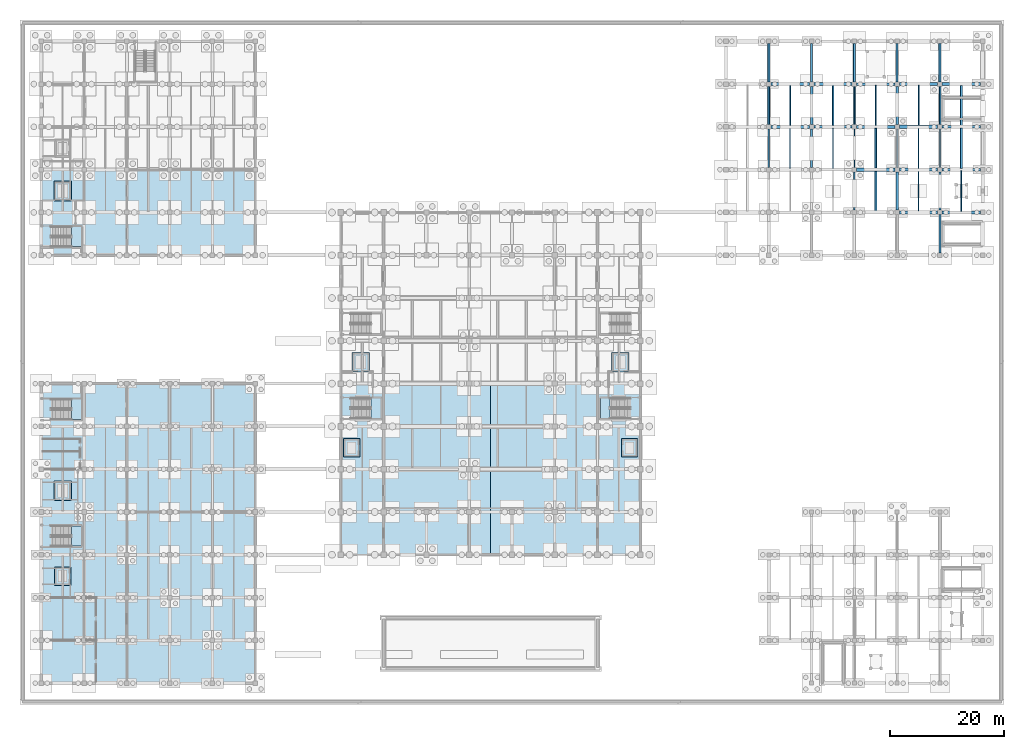
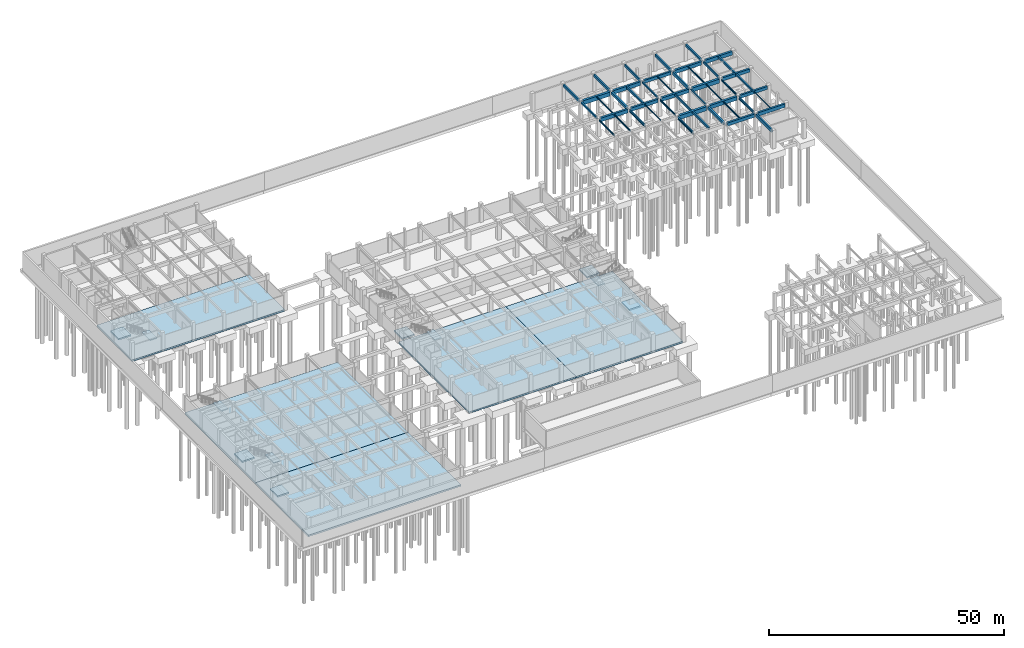
# One storey, part 19 of 38: 47 beams, 17 slabs, 5 elements without a shape of their own.
"""IFC4 building model written with IfcOpenShell, lengths in metres."""

from ifc_helpers import new_model, si_unit, direction, frame, origin, origin_2d, place, context, subcontext, project, spatial, polyline, rectangle, i_section, outline, extrude, material, layer, layer_set, material_profile, profile_set, type_object, element, aggregate, save


model = new_model("IFC4")

# Units and contexts
model_context = context("Model", 3, precision=1e-05, world=origin(), true_north=direction((0.0, 1.0)))
body_context = subcontext(model_context, "Body", "Model", "MODEL_VIEW")
ifc_project = project(units=[si_unit("LENGTHUNIT", "METRE"), si_unit("AREAUNIT", "SQUARE_METRE"), si_unit("VOLUMEUNIT", "CUBIC_METRE"), si_unit("PLANEANGLEUNIT", "RADIAN"), si_unit("MASSUNIT", "GRAM", prefix="KILO")], contexts=[model_context])

# Site, building, storey
site_placement = place(None, origin())
site = spatial("IfcSite", under=ifc_project, at=site_placement, CompositionType="ELEMENT")
building_placement = place(site_placement, origin())
building = spatial("IfcBuilding", under=site, at=building_placement, Name="Qasida Concert Hall", CompositionType="ELEMENT")
storey_placement = place(building_placement, frame((0.0, 0.0, -4.800048828125)))
storey = spatial("IfcBuildingStorey", under=building, at=storey_placement, Name="B1", CompositionType="ELEMENT", Elevation=-4.800048828125)

# Beams
ifc_material_1 = material(Name="Concrete C40/50", Category="concrete")
ifc_material_profile_1 = material_profile(ifc_material_1, rectangle(XDim=0.39990234375, YDim=0.64990234375, at=origin_2d()), Name="RC 400x650")
ifc_profile_set_1 = profile_set([ifc_material_profile_1], Name="Concrete C40/50")
beam_type_1 = type_object("IfcBeamType", Name="BM-B1", PredefinedType="BEAM", material=ifc_profile_set_1)
beam_1_placement = place(storey_placement, frame((150.0, 82.89990234375, 4.175048828125), z_axis=(0.0, 1.0, 0.0), x_axis=(-1.0, 0.0, 0.0)))
element("IfcBeam", 1, at=beam_1_placement, inside=storey, type_object=beam_type_1, Name="B1 girder 0269", PredefinedType="BEAM", context=body_context, shape_type="SweptSolid", body=[
    extrude(rectangle(XDim=0.39990234375, YDim=0.64990234375, at=origin_2d()), origin(), (0.0, 0.0, 1.0), 6.7001953125),
])
ifc_material_profile_2 = material_profile(ifc_material_1, rectangle(XDim=0.3798828125, YDim=0.6201171875, at=origin_2d()), Name="RC 380x620")
ifc_profile_set_2 = profile_set([ifc_material_profile_2], Name="Concrete C40/50")
beam_type_2 = type_object("IfcBeamType", Name="BM-B10", PredefinedType="BEAM", material=ifc_profile_set_2)
for number, where, z_axis, x_axis, name in (
    (2, (135.0, 105.39990234375, 4.18994140625), (0.0, 1.0, 0.0), (-1.0, 0.0, 0.0), "B1 girder 0262"),
    (3, (150.0, 105.39990234375, 4.18994140625), (0.0, 1.0, 0.0), (-1.0, 0.0, 0.0), "B1 girder 0272"),
):
    element("IfcBeam", number, at=place(storey_placement, frame(where, z_axis=z_axis, x_axis=x_axis)), inside=storey, type_object=beam_type_2, Name=name, PredefinedType="BEAM", context=body_context, shape_type="SweptSolid", body=[
        extrude(rectangle(XDim=0.3798828125, YDim=0.6201171875, at=origin_2d()), origin(), (0.0, 0.0, 1.0), 6.7001953125),
    ])
ifc_material_profile_3 = material_profile(ifc_material_1, rectangle(XDim=0.419921875, YDim=0.699951171875, at=origin_2d()), Name="RC 420x700")
ifc_profile_set_3 = profile_set([ifc_material_profile_3], Name="Concrete C40/50")
beam_type_3 = type_object("IfcBeamType", Name="BM-B11", PredefinedType="BEAM", material=ifc_profile_set_3)
for number, where, z_axis, x_axis, name in (
    (4, (135.0, 97.89990234375, 4.150146484375), (0.0, 1.0, 0.0), (-1.0, 0.0, 0.0), "B1 girder 0261"),
    (5, (150.0, 97.89990234375, 4.150146484375), (0.0, 1.0, 0.0), (-1.0, 0.0, 0.0), "B1 girder 0271"),
    (6, (157.5, 75.39990234375, 4.150146484375), (0.0, 1.0, 0.0), (-1.0, 0.0, 0.0), "B1 girder 0273"),
):
    element("IfcBeam", number, at=place(storey_placement, frame(where, z_axis=z_axis, x_axis=x_axis)), inside=storey, type_object=beam_type_3, Name=name, PredefinedType="BEAM", context=body_context, shape_type="SweptSolid", body=[
        extrude(rectangle(XDim=0.419921875, YDim=0.699951171875, at=origin_2d()), origin(), (0.0, 0.0, 1.0), 6.7001953125),
    ])
ifc_material_2 = material(Name="Steel S355J2", Category="steel")
ifc_material_profile_4 = material_profile(ifc_material_2, i_section(OverallWidth=0.300048828125, OverallDepth=0.64990234375, WebThickness=0.01611328125, FlangeThickness=0.031005859375, FilletRadius=0.027099609375, at=origin_2d()), Name="HEB 650")
ifc_profile_set_4 = profile_set([ifc_material_profile_4], Name="Steel S355J2")
beam_type_4 = type_object("IfcBeamType", Name="BM-B13", PredefinedType="BEAM", material=ifc_profile_set_4)
for number, where, z_axis, x_axis, name in (
    (7, (135.0, 90.39990234375, 4.175048828125), (0.0, 1.0, 0.0), (-1.0, 0.0, 0.0), "B1 girder 0260"),
    (8, (150.0, 90.39990234375, 4.175048828125), (0.0, 1.0, 0.0), (-1.0, 0.0, 0.0), "B1 girder 0270"),
):
    element("IfcBeam", number, at=place(storey_placement, frame(where, z_axis=z_axis, x_axis=x_axis)), inside=storey, type_object=beam_type_4, Name=name, PredefinedType="BEAM", context=body_context, shape_type="SweptSolid", body=[
        extrude(i_section(OverallWidth=0.300048828125, OverallDepth=0.64990234375, WebThickness=0.01611328125, FlangeThickness=0.031005859375, FilletRadius=0.027099609375, at=origin_2d()), origin(), (0.0, 0.0, 1.0), 6.7001953125),
    ])
ifc_material_profile_5 = material_profile(ifc_material_1, rectangle(XDim=0.35009765625, YDim=0.60009765625, at=origin_2d()), Name="RC 350x600")
ifc_profile_set_5 = profile_set([ifc_material_profile_5], Name="Concrete C40/50")
beam_type_5 = type_object("IfcBeamType", Name="BM-B2", PredefinedType="BEAM", material=ifc_profile_set_5)
for number, where, z_axis, x_axis, name in (
    (9, (127.5, 105.39990234375, 4.199951171875), (0.0, 1.0, 0.0), (-1.0, 0.0, 0.0), "B1 girder 0257"),
    (10, (142.5, 105.39990234375, 4.199951171875), (0.0, 1.0, 0.0), (-1.0, 0.0, 0.0), "B1 girder 0267"),
    (11, (157.5, 105.39990234375, 4.199951171875), (0.0, 1.0, 0.0), (-1.0, 0.0, 0.0), "B1 girder 0277"),
):
    element("IfcBeam", number, at=place(storey_placement, frame(where, z_axis=z_axis, x_axis=x_axis)), inside=storey, type_object=beam_type_5, Name=name, PredefinedType="BEAM", context=body_context, shape_type="SweptSolid", body=[
        extrude(rectangle(XDim=0.35009765625, YDim=0.60009765625, at=origin_2d()), origin(), (0.0, 0.0, 1.0), 6.7001953125),
    ])
ifc_material_profile_6 = material_profile(ifc_material_1, rectangle(XDim=0.300048828125, YDim=0.449951171875, at=origin_2d()), Name="RC 300x450")
ifc_profile_set_6 = profile_set([ifc_material_profile_6], Name="Concrete C40/50")
beam_type_6 = type_object("IfcBeamType", Name="BM-B3", PredefinedType="BEAM", material=ifc_profile_set_6)
for number, where, z_axis, x_axis, name in (
    (12, (127.5, 97.89990234375, 4.275146484375), (0.0, 1.0, 0.0), (-1.0, 0.0, 0.0), "B1 girder 0256"),
    (13, (142.5, 97.89990234375, 4.275146484375), (0.0, 1.0, 0.0), (-1.0, 0.0, 0.0), "B1 girder 0266"),
    (14, (157.5, 97.89990234375, 4.275146484375), (0.0, 1.0, 0.0), (-1.0, 0.0, 0.0), "B1 girder 0276"),
):
    element("IfcBeam", number, at=place(storey_placement, frame(where, z_axis=z_axis, x_axis=x_axis)), inside=storey, type_object=beam_type_6, Name=name, PredefinedType="BEAM", context=body_context, shape_type="SweptSolid", body=[
        extrude(rectangle(XDim=0.300048828125, YDim=0.449951171875, at=origin_2d()), origin(), (0.0, 0.0, 1.0), 6.7001953125),
    ])
ifc_material_profile_7 = material_profile(ifc_material_2, i_section(OverallWidth=0.18994140625, OverallDepth=0.449951171875, WebThickness=0.009521484375, FlangeThickness=0.0146484375, FilletRadius=0.02099609375, at=origin_2d()), Name="IPE 450")
ifc_profile_set_7 = profile_set([ifc_material_profile_7], Name="Steel S355J2")
beam_type_7 = type_object("IfcBeamType", Name="BM-B5", PredefinedType="BEAM", material=ifc_profile_set_7)
for number, where, z_axis, x_axis, name in (
    (15, (127.5, 90.39990234375, 4.275146484375), (0.0, 1.0, 0.0), (-1.0, 0.0, 0.0), "B1 girder 0255"),
    (16, (142.5, 90.39990234375, 4.275146484375), (0.0, 1.0, 0.0), (-1.0, 0.0, 0.0), "B1 girder 0265"),
    (17, (157.5, 90.39990234375, 4.275146484375), (0.0, 1.0, 0.0), (-1.0, 0.0, 0.0), "B1 girder 0275"),
):
    element("IfcBeam", number, at=place(storey_placement, frame(where, z_axis=z_axis, x_axis=x_axis)), inside=storey, type_object=beam_type_7, Name=name, PredefinedType="BEAM", context=body_context, shape_type="SweptSolid", body=[
        extrude(i_section(OverallWidth=0.18994140625, OverallDepth=0.449951171875, WebThickness=0.009521484375, FlangeThickness=0.0146484375, FilletRadius=0.02099609375, at=origin_2d()), origin(), (0.0, 0.0, 1.0), 6.7001953125),
    ])
ifc_material_profile_8 = material_profile(ifc_material_2, i_section(OverallWidth=0.300048828125, OverallDepth=0.60009765625, WebThickness=0.015380859375, FlangeThickness=0.030029296875, FilletRadius=0.027099609375, at=origin_2d()), Name="HEB 600")
ifc_profile_set_8 = profile_set([ifc_material_profile_8], Name="Steel S355J2")
beam_type_8 = type_object("IfcBeamType", Name="BM-B6", PredefinedType="BEAM", material=ifc_profile_set_8)
for number, where, z_axis, x_axis, name in (
    (18, (142.5, 82.89990234375, 4.199951171875), (0.0, 1.0, 0.0), (-1.0, 0.0, 0.0), "B1 girder 0264"),
    (19, (157.5, 82.89990234375, 4.199951171875), (0.0, 1.0, 0.0), (-1.0, 0.0, 0.0), "B1 girder 0274"),
):
    element("IfcBeam", number, at=place(storey_placement, frame(where, z_axis=z_axis, x_axis=x_axis)), inside=storey, type_object=beam_type_8, Name=name, PredefinedType="BEAM", context=body_context, shape_type="SweptSolid", body=[
        extrude(i_section(OverallWidth=0.300048828125, OverallDepth=0.60009765625, WebThickness=0.015380859375, FlangeThickness=0.030029296875, FilletRadius=0.027099609375, at=origin_2d()), origin(), (0.0, 0.0, 1.0), 6.7001953125),
    ])
ifc_material_profile_9 = material_profile(ifc_material_1, rectangle(XDim=0.5, YDim=0.89990234375, at=origin_2d()), Name="RC 500x900")
ifc_profile_set_9 = profile_set([ifc_material_profile_9], Name="Concrete C40/50")
beam_type_9 = type_object("IfcBeamType", Name="BM-G1", PredefinedType="USERDEFINED", material=ifc_profile_set_9)
for number, where, z_axis, x_axis, name in (
    (20, (157.89990234375, 82.5, 4.050048828125), (1.0, 0.0, 0.0), (0.0, 1.0, 0.0), "Primary girder 0234"),
    (21, (142.89990234375, 97.5, 4.050048828125), (1.0, 0.0, 0.0), (0.0, 1.0, 0.0), "Primary girder 0244"),
    (22, (150.39990234375, 105.0, 4.050048828125), (1.0, 0.0, 0.0), (0.0, 1.0, 0.0), "Primary girder 0251"),
):
    element("IfcBeam", number, at=place(storey_placement, frame(where, z_axis=z_axis, x_axis=x_axis)), inside=storey, type_object=beam_type_9, Name=name, ObjectType="GIRDER", PredefinedType="USERDEFINED", context=body_context, shape_type="SweptSolid", body=[
        extrude(rectangle(XDim=0.5, YDim=0.89990234375, at=origin_2d()), origin(), (0.0, 0.0, 1.0), 6.7001953125),
    ])
ifc_material_profile_10 = material_profile(ifc_material_1, rectangle(XDim=0.449951171875, YDim=0.800048828125, at=origin_2d()), Name="RC 450x800")
ifc_profile_set_10 = profile_set([ifc_material_profile_10], Name="Concrete C40/50")
beam_type_10 = type_object("IfcBeamType", Name="BM-G2", PredefinedType="USERDEFINED", material=ifc_profile_set_10)
for number, where, z_axis, x_axis, name in (
    (23, (157.89990234375, 90.0, 4.10009765625), (1.0, 0.0, 0.0), (0.0, 1.0, 0.0), "Primary girder 0240"),
    (24, (142.89990234375, 105.0, 4.10009765625), (1.0, 0.0, 0.0), (0.0, 1.0, 0.0), "Primary girder 0250"),
):
    element("IfcBeam", number, at=place(storey_placement, frame(where, z_axis=z_axis, x_axis=x_axis)), inside=storey, type_object=beam_type_10, Name=name, ObjectType="GIRDER", PredefinedType="USERDEFINED", context=body_context, shape_type="SweptSolid", body=[
        extrude(rectangle(XDim=0.449951171875, YDim=0.800048828125, at=origin_2d()), origin(), (0.0, 0.0, 1.0), 6.7001953125),
    ])
ifc_material_profile_11 = material_profile(ifc_material_1, rectangle(XDim=0.47998046875, YDim=0.85009765625, at=origin_2d()), Name="RC 480x850")
ifc_profile_set_11 = profile_set([ifc_material_profile_11], Name="Concrete C40/50")
beam_type_11 = type_object("IfcBeamType", Name="BM-G6", PredefinedType="USERDEFINED", material=ifc_profile_set_11)
for number, where, z_axis, x_axis, name in (
    (25, (150.39990234375, 82.5, 4.074951171875), (1.0, 0.0, 0.0), (0.0, 1.0, 0.0), "Primary girder 0233"),
    (26, (135.39990234375, 97.5, 4.074951171875), (1.0, 0.0, 0.0), (0.0, 1.0, 0.0), "Primary girder 0243"),
    (27, (157.89990234375, 97.5, 4.074951171875), (1.0, 0.0, 0.0), (0.0, 1.0, 0.0), "Primary girder 0246"),
):
    element("IfcBeam", number, at=place(storey_placement, frame(where, z_axis=z_axis, x_axis=x_axis)), inside=storey, type_object=beam_type_11, Name=name, ObjectType="GIRDER", PredefinedType="USERDEFINED", context=body_context, shape_type="SweptSolid", body=[
        extrude(rectangle(XDim=0.47998046875, YDim=0.85009765625, at=origin_2d()), origin(), (0.0, 0.0, 1.0), 6.7001953125),
    ])
ifc_material_profile_12 = material_profile(ifc_material_1, rectangle(XDim=0.52001953125, YDim=0.949951171875, at=origin_2d()), Name="RC 520x950")
ifc_profile_set_12 = profile_set([ifc_material_profile_12], Name="Concrete C40/50")
beam_type_12 = type_object("IfcBeamType", Name="BM-G7", PredefinedType="USERDEFINED", material=ifc_profile_set_12)
for number, where, z_axis, x_axis, name in (
    (28, (150.39990234375, 90.0, 4.025146484375), (1.0, 0.0, 0.0), (0.0, 1.0, 0.0), "Primary girder 0239"),
    (29, (127.89990234375, 97.5, 4.025146484375), (1.0, 0.0, 0.0), (0.0, 1.0, 0.0), "Primary girder 0242"),
    (30, (135.39990234375, 105.0, 4.025146484375), (1.0, 0.0, 0.0), (0.0, 1.0, 0.0), "Primary girder 0249"),
    (31, (157.89990234375, 105.0, 4.025146484375), (1.0, 0.0, 0.0), (0.0, 1.0, 0.0), "Primary girder 0252"),
):
    element("IfcBeam", number, at=place(storey_placement, frame(where, z_axis=z_axis, x_axis=x_axis)), inside=storey, type_object=beam_type_12, Name=name, ObjectType="GIRDER", PredefinedType="USERDEFINED", context=body_context, shape_type="SweptSolid", body=[
        extrude(rectangle(XDim=0.52001953125, YDim=0.949951171875, at=origin_2d()), origin(), (0.0, 0.0, 1.0), 6.7001953125),
    ])
ifc_material_3 = material(Name="Concrete C50/60", Category="concrete")
ifc_material_profile_13 = material_profile(ifc_material_3, rectangle(XDim=0.580078125, YDim=1.050048828125, at=origin_2d()), Name="RC 580x1050")
ifc_profile_set_13 = profile_set([ifc_material_profile_13], Name="Concrete C50/60")
beam_type_13 = type_object("IfcBeamType", Name="BM-G8", PredefinedType="USERDEFINED", material=ifc_profile_set_13)
for number, where, z_axis, x_axis, name in (
    (32, (142.89990234375, 90.0, 3.97509765625), (1.0, 0.0, 0.0), (0.0, 1.0, 0.0), "Primary girder 0238"),
    (33, (150.39990234375, 97.5, 3.97509765625), (1.0, 0.0, 0.0), (0.0, 1.0, 0.0), "Primary girder 0245"),
    (34, (127.89990234375, 105.0, 3.97509765625), (1.0, 0.0, 0.0), (0.0, 1.0, 0.0), "Primary girder 0248"),
):
    element("IfcBeam", number, at=place(storey_placement, frame(where, z_axis=z_axis, x_axis=x_axis)), inside=storey, type_object=beam_type_13, Name=name, ObjectType="GIRDER", PredefinedType="USERDEFINED", context=body_context, shape_type="SweptSolid", body=[
        extrude(rectangle(XDim=0.580078125, YDim=1.050048828125, at=origin_2d()), origin(), (0.0, 0.0, 1.0), 6.7001953125),
    ])
ifc_material_profile_14 = material_profile(ifc_material_1, rectangle(XDim=0.300048828125, YDim=0.550048828125, at=origin_2d()), Name="RC 300x550")
ifc_profile_set_14 = profile_set([ifc_material_profile_14], Name="Concrete C40/50")
beam_type_14 = type_object("IfcBeamType", Name="BM-J1", PredefinedType="JOIST", material=ifc_profile_set_14)
beam_2_placement = place(storey_placement, frame((146.25, 90.2900390625, 4.22509765625), z_axis=(0.0, 1.0, 0.0), x_axis=(-1.0, 0.0, 0.0)))
element("IfcBeam", 35, at=beam_2_placement, inside=storey, type_object=beam_type_14, Name="B1 secondary joist 0288", PredefinedType="JOIST", context=body_context, shape_type="SweptSolid", body=[
    extrude(rectangle(XDim=0.300048828125, YDim=0.550048828125, at=origin_2d()), origin(), (0.0, 0.0, 1.0), 6.9599609375),
])
ifc_material_profile_15 = material_profile(ifc_material_2, i_section(OverallWidth=0.169921875, OverallDepth=0.360107421875, WebThickness=0.008056640625, FlangeThickness=0.0126953125, FilletRadius=0.01806640625, at=origin_2d()), Name="IPE 360")
ifc_profile_set_15 = profile_set([ifc_material_profile_15], Name="Steel S355J2")
beam_type_15 = type_object("IfcBeamType", Name="BM-J2", PredefinedType="JOIST", material=ifc_profile_set_15)
beam_3_placement = place(storey_placement, frame((146.25, 97.75, 4.320068359375), z_axis=(0.0, 1.0, 0.0), x_axis=(-1.0, 0.0, 0.0)))
element("IfcBeam", 36, at=beam_3_placement, inside=storey, type_object=beam_type_15, Name="B1 secondary joist 0289", PredefinedType="JOIST", context=body_context, shape_type="SweptSolid", body=[
    extrude(i_section(OverallWidth=0.169921875, OverallDepth=0.360107421875, WebThickness=0.008056640625, FlangeThickness=0.0126953125, FilletRadius=0.01806640625, at=origin_2d()), origin(), (0.0, 0.0, 1.0), 7.02490234375),
])
ifc_material_profile_16 = material_profile(ifc_material_2, i_section(OverallWidth=0.179931640625, OverallDepth=0.39990234375, WebThickness=0.008544921875, FlangeThickness=0.013427734375, FilletRadius=0.02099609375, at=origin_2d()), Name="IPE 400")
ifc_profile_set_16 = profile_set([ifc_material_profile_16], Name="Steel S355J2")
beam_type_16 = type_object("IfcBeamType", Name="BM-J3", PredefinedType="JOIST", material=ifc_profile_set_16)
for number, where, z_axis, x_axis, name in (
    (37, (131.25, 90.239990234375, 4.300048828125), (0.0, 1.0, 0.0), (-1.0, 0.0, 0.0), "B1 secondary joist 0282"),
    (38, (153.75, 82.739990234375, 4.300048828125), (0.0, 1.0, 0.0), (-1.0, 0.0, 0.0), "B1 secondary joist 0290"),
):
    element("IfcBeam", number, at=place(storey_placement, frame(where, z_axis=z_axis, x_axis=x_axis)), inside=storey, type_object=beam_type_16, Name=name, PredefinedType="JOIST", context=body_context, shape_type="SweptSolid", body=[
        extrude(i_section(OverallWidth=0.179931640625, OverallDepth=0.39990234375, WebThickness=0.008544921875, FlangeThickness=0.013427734375, FilletRadius=0.02099609375, at=origin_2d()), origin(), (0.0, 0.0, 1.0), 7.0),
    ])
ifc_material_profile_17 = material_profile(ifc_material_2, i_section(OverallWidth=0.14990234375, OverallDepth=0.300048828125, WebThickness=0.007080078125, FlangeThickness=0.0107421875, FilletRadius=0.014892578125, at=origin_2d()), Name="IPE 300")
ifc_profile_set_17 = profile_set([ifc_material_profile_17], Name="Steel S355J2")
beam_type_17 = type_object("IfcBeamType", Name="BM-J4", PredefinedType="JOIST", material=ifc_profile_set_17)
for number, where, z_axis, x_axis, name in (
    (39, (131.25, 97.760009765625, 4.35009765625), (0.0, 1.0, 0.0), (-1.0, 0.0, 0.0), "B1 secondary joist 0283"),
    (40, (153.75, 90.260009765625, 4.35009765625), (0.0, 1.0, 0.0), (-1.0, 0.0, 0.0), "B1 secondary joist 0291"),
):
    element("IfcBeam", number, at=place(storey_placement, frame(where, z_axis=z_axis, x_axis=x_axis)), inside=storey, type_object=beam_type_17, Name=name, PredefinedType="JOIST", context=body_context, shape_type="SweptSolid", body=[
        extrude(i_section(OverallWidth=0.14990234375, OverallDepth=0.300048828125, WebThickness=0.007080078125, FlangeThickness=0.0107421875, FilletRadius=0.014892578125, at=origin_2d()), origin(), (0.0, 0.0, 1.0), 6.949951171875),
    ])
ifc_material_profile_18 = material_profile(ifc_material_2, i_section(OverallWidth=0.159912109375, OverallDepth=0.330078125, WebThickness=0.007568359375, FlangeThickness=0.011474609375, FilletRadius=0.01806640625, at=origin_2d()), Name="IPE 330")
ifc_profile_set_18 = profile_set([ifc_material_profile_18], Name="Steel S355J2")
beam_type_18 = type_object("IfcBeamType", Name="BM-J5", PredefinedType="JOIST", material=ifc_profile_set_18)
beam_4_placement = place(storey_placement, frame((153.75, 97.7900390625, 4.3349609375), z_axis=(0.0, 1.0, 0.0), x_axis=(-1.0, 0.0, 0.0)))
element("IfcBeam", 41, at=beam_4_placement, inside=storey, type_object=beam_type_18, Name="B1 secondary joist 0292", PredefinedType="JOIST", context=body_context, shape_type="SweptSolid", body=[
    extrude(i_section(OverallWidth=0.159912109375, OverallDepth=0.330078125, WebThickness=0.007568359375, FlangeThickness=0.011474609375, FilletRadius=0.01806640625, at=origin_2d()), origin(), (0.0, 0.0, 1.0), 6.9599609375),
])
ifc_material_profile_19 = material_profile(ifc_material_2, i_section(OverallWidth=0.135009765625, OverallDepth=0.27001953125, WebThickness=0.006591796875, FlangeThickness=0.01025390625, FilletRadius=0.014892578125, at=origin_2d()), Name="IPE 270")
ifc_profile_set_19 = profile_set([ifc_material_profile_19], Name="Steel S355J2")
beam_type_19 = type_object("IfcBeamType", Name="BM-J6", PredefinedType="JOIST", material=ifc_profile_set_19)
beam_5_placement = place(storey_placement, frame((138.75, 90.22509765625, 4.364990234375), z_axis=(0.0, 1.0, 0.0), x_axis=(-1.0, 0.0, 0.0)))
element("IfcBeam", 42, at=beam_5_placement, inside=storey, type_object=beam_type_19, Name="B1 secondary joist 0285", PredefinedType="JOIST", context=body_context, shape_type="SweptSolid", body=[
    extrude(i_section(OverallWidth=0.135009765625, OverallDepth=0.27001953125, WebThickness=0.006591796875, FlangeThickness=0.01025390625, FilletRadius=0.014892578125, at=origin_2d()), origin(), (0.0, 0.0, 1.0), 7.034912109375),
])
beam_6_placement = place(storey_placement, frame((161.25, 82.75, 4.364990234375), z_axis=(0.0, 1.0, 0.0), x_axis=(-1.0, 0.0, 0.0)))
element("IfcBeam", 43, at=beam_6_placement, inside=storey, type_object=beam_type_19, Name="B1 secondary joist 0293", PredefinedType="JOIST", context=body_context, shape_type="SweptSolid", body=[
    extrude(i_section(OverallWidth=0.135009765625, OverallDepth=0.27001953125, WebThickness=0.006591796875, FlangeThickness=0.01025390625, FilletRadius=0.014892578125, at=origin_2d()), origin(), (0.0, 0.0, 1.0), 7.02490234375),
])
ifc_material_profile_20 = material_profile(ifc_material_1, rectangle(XDim=0.320068359375, YDim=0.5, at=origin_2d()), Name="RC 320x500")
ifc_profile_set_20 = profile_set([ifc_material_profile_20], Name="Concrete C40/50")
beam_type_20 = type_object("IfcBeamType", Name="BM-J7", PredefinedType="JOIST", material=ifc_profile_set_20)
beam_7_placement = place(storey_placement, frame((138.75, 97.739990234375, 4.25), z_axis=(0.0, 1.0, 0.0), x_axis=(-1.0, 0.0, 0.0)))
element("IfcBeam", 44, at=beam_7_placement, inside=storey, type_object=beam_type_20, Name="B1 secondary joist 0286", PredefinedType="JOIST", context=body_context, shape_type="SweptSolid", body=[
    extrude(rectangle(XDim=0.320068359375, YDim=0.5, at=origin_2d()), origin(), (0.0, 0.0, 1.0), 7.0),
])
beam_8_placement = place(storey_placement, frame((161.25, 90.22509765625, 4.25), z_axis=(0.0, 1.0, 0.0), x_axis=(-1.0, 0.0, 0.0)))
element("IfcBeam", 45, at=beam_8_placement, inside=storey, type_object=beam_type_20, Name="B1 secondary joist 0294", PredefinedType="JOIST", context=body_context, shape_type="SweptSolid", body=[
    extrude(rectangle(XDim=0.320068359375, YDim=0.5, at=origin_2d()), origin(), (0.0, 0.0, 1.0), 7.034912109375),
])
ifc_material_profile_21 = material_profile(ifc_material_1, rectangle(XDim=0.35009765625, YDim=0.550048828125, at=origin_2d()), Name="RC 350x550")
ifc_profile_set_21 = profile_set([ifc_material_profile_21], Name="Concrete C40/50")
beam_type_21 = type_object("IfcBeamType", Name="BM-J8", PredefinedType="JOIST", material=ifc_profile_set_21)
beam_9_placement = place(storey_placement, frame((146.25, 82.760009765625, 4.22509765625), z_axis=(0.0, 1.0, 0.0), x_axis=(-1.0, 0.0, 0.0)))
element("IfcBeam", 46, at=beam_9_placement, inside=storey, type_object=beam_type_21, Name="B1 secondary joist 0287", PredefinedType="JOIST", context=body_context, shape_type="SweptSolid", body=[
    extrude(rectangle(XDim=0.35009765625, YDim=0.550048828125, at=origin_2d()), origin(), (0.0, 0.0, 1.0), 6.949951171875),
])
beam_10_placement = place(storey_placement, frame((161.25, 97.739990234375, 4.22509765625), z_axis=(0.0, 1.0, 0.0), x_axis=(-1.0, 0.0, 0.0)))
element("IfcBeam", 47, at=beam_10_placement, inside=storey, type_object=beam_type_21, Name="B1 secondary joist 0295", PredefinedType="JOIST", context=body_context, shape_type="SweptSolid", body=[
    extrude(rectangle(XDim=0.35009765625, YDim=0.550048828125, at=origin_2d()), origin(), (0.0, 0.0, 1.0), 7.0),
])

# Slabs
ifc_layer_1 = layer(ifc_material_1, 0.3798828125, Name="Concrete C40/50")
ifc_layer_set_1 = layer_set([ifc_layer_1], Name="Concrete C40/50")
slab_type_1 = type_object("IfcSlabType", Name="SL-BS-380", PredefinedType="BASESLAB", material=ifc_layer_set_1)
slab_1_placement = place(storey_placement, frame((0.0, 0.0, -1.39990234375)))
element("IfcSlab", 48, at=slab_1_placement, inside=storey, type_object=slab_type_1, Name="Lift pit slab LF-01", PredefinedType="BASESLAB", context=body_context, shape_type="SweptSolid", body=[
    extrude(outline(polyline([(52.97998046875, 39.6298828125), (55.820068359375, 39.6298828125), (55.820068359375, 42.8701171875), (52.97998046875, 42.8701171875), (52.97998046875, 39.6298828125)])), origin(), (0.0, 0.0, 1.0), 0.3798828125),
])
slab_2_placement = place(storey_placement, frame((0.0, 0.0, -1.39990234375)))
element("IfcSlab", 49, at=slab_2_placement, inside=storey, type_object=slab_type_1, Name="Lift pit slab LF-02", PredefinedType="BASESLAB", context=body_context, shape_type="SweptSolid", body=[
    extrude(outline(polyline([(101.679931640625, 39.6298828125), (104.52001953125, 39.6298828125), (104.52001953125, 42.8701171875), (101.679931640625, 42.8701171875), (101.679931640625, 39.6298828125)])), origin(), (0.0, 0.0, 1.0), 0.3798828125),
])
slab_3_placement = place(storey_placement, frame((0.0, 0.0, -1.39990234375)))
element("IfcSlab", 50, at=slab_3_placement, inside=storey, type_object=slab_type_1, Name="Lift pit slab LF-03", PredefinedType="BASESLAB", context=body_context, shape_type="SweptSolid", body=[
    extrude(outline(polyline([(54.47998046875, 54.530029296875), (57.52001953125, 54.530029296875), (57.52001953125, 57.969970703125), (54.47998046875, 57.969970703125), (54.47998046875, 54.530029296875)])), origin(), (0.0, 0.0, 1.0), 0.3798828125),
])
slab_4_placement = place(storey_placement, frame((0.0, 0.0, -1.39990234375)))
element("IfcSlab", 51, at=slab_4_placement, inside=storey, type_object=slab_type_1, Name="Lift pit slab LF-04", PredefinedType="BASESLAB", context=body_context, shape_type="SweptSolid", body=[
    extrude(outline(polyline([(99.97998046875, 54.530029296875), (103.02001953125, 54.530029296875), (103.02001953125, 57.969970703125), (99.97998046875, 57.969970703125), (99.97998046875, 54.530029296875)])), origin(), (0.0, 0.0, 1.0), 0.3798828125),
])
slab_5_placement = place(storey_placement, frame((0.0, 0.0, -1.39990234375)))
element("IfcSlab", 52, at=slab_5_placement, inside=storey, type_object=slab_type_1, Name="Lift pit slab LF-05", PredefinedType="BASESLAB", context=body_context, shape_type="SweptSolid", body=[
    extrude(outline(polyline([(2.330078125, 17.1298828125), (5.169921875, 17.1298828125), (5.169921875, 20.3701171875), (2.330078125, 20.3701171875), (2.330078125, 17.1298828125)])), origin(), (0.0, 0.0, 1.0), 0.3798828125),
])
slab_6_placement = place(storey_placement, frame((0.0, 0.0, -1.39990234375)))
element("IfcSlab", 53, at=slab_6_placement, inside=storey, type_object=slab_type_1, Name="Lift pit slab LF-06", PredefinedType="BASESLAB", context=body_context, shape_type="SweptSolid", body=[
    extrude(outline(polyline([(2.22998046875, 32.030029296875), (5.27001953125, 32.030029296875), (5.27001953125, 35.469970703125), (2.22998046875, 35.469970703125), (2.22998046875, 32.030029296875)])), origin(), (0.0, 0.0, 1.0), 0.3798828125),
])
slab_7_placement = place(storey_placement, frame((0.0, 0.0, -1.39990234375)))
element("IfcSlab", 54, at=slab_7_placement, inside=storey, type_object=slab_type_1, Name="Lift pit slab LF-08", PredefinedType="BASESLAB", context=body_context, shape_type="SweptSolid", body=[
    extrude(outline(polyline([(2.22998046875, 84.530029296875), (5.27001953125, 84.530029296875), (5.27001953125, 87.969970703125), (2.22998046875, 87.969970703125), (2.22998046875, 84.530029296875)])), origin(), (0.0, 0.0, 1.0), 0.3798828125),
])
ifc_layer_2 = layer(ifc_material_1, 0.419921875, Name="Concrete C40/50")
ifc_layer_set_2 = layer_set([ifc_layer_2], Name="Concrete C40/50")
slab_type_2 = type_object("IfcSlabType", Name="SL-BS-420", PredefinedType="BASESLAB", material=ifc_layer_set_2)
slab_8_placement = place(storey_placement, frame((0.0, 0.0, -0.419921875)))
element("IfcSlab", 55, at=slab_8_placement, inside=storey, type_object=slab_type_2, Name="V1 basement south-west (BS-420)", PredefinedType="BASESLAB", context=body_context, shape_type="SweptSolid", body=[
    extrude(outline(polyline([(52.5, 22.5), (78.75, 22.5), (78.75, 52.5), (52.5, 52.5), (52.5, 22.5)])), origin(), (0.0, 0.0, 1.0), 0.419921875),
])
slab_9_placement = place(storey_placement, frame((0.0, 0.0, -0.419921875)))
element("IfcSlab", 56, at=slab_9_placement, inside=storey, type_object=slab_type_2, Name="V1 basement south-east (BS-420)", PredefinedType="BASESLAB", context=body_context, shape_type="SweptSolid", body=[
    extrude(outline(polyline([(78.75, 22.5), (105.0, 22.5), (105.0, 52.5), (78.75, 52.5), (78.75, 22.5)])), origin(), (0.0, 0.0, 1.0), 0.419921875),
])
slab_10_placement = place(storey_placement, frame((0.0, 0.0, -0.419921875)))
element("IfcSlab", 57, at=slab_10_placement, inside=storey, type_object=slab_type_2, Name="V3 basement south (BS-420)", PredefinedType="BASESLAB", context=body_context, shape_type="SweptSolid", body=[
    extrude(outline(polyline([(0.0, 0.0), (37.5, 0.0), (37.5, 22.5), (0.0, 22.5), (0.0, 0.0)])), origin(), (0.0, 0.0, 1.0), 0.419921875),
])
slab_11_placement = place(storey_placement, frame((0.0, 0.0, -0.419921875)))
element("IfcSlab", 58, at=slab_11_placement, inside=storey, type_object=slab_type_2, Name="V3 basement north (BS-420)", PredefinedType="BASESLAB", context=body_context, shape_type="SweptSolid", body=[
    extrude(outline(polyline([(0.0, 22.5), (37.5, 22.5), (37.5, 52.5), (0.0, 52.5), (0.0, 22.5)])), origin(), (0.0, 0.0, 1.0), 0.419921875),
])
slab_12_placement = place(storey_placement, frame((0.0, 0.0, -0.419921875)))
element("IfcSlab", 59, at=slab_12_placement, inside=storey, type_object=slab_type_2, Name="V5 basement south (BS-420)", PredefinedType="BASESLAB", context=body_context, shape_type="SweptSolid", body=[
    extrude(outline(polyline([(0.0, 75.0), (37.5, 75.0), (37.5, 90.0), (0.0, 90.0), (0.0, 75.0)])), origin(), (0.0, 0.0, 1.0), 0.419921875),
])

# Stair, slab
stair_type_1 = type_object("IfcStairType", Name="ST-DL-168", PredefinedType="HALF_TURN_STAIR", material=ifc_material_1)
stair_1_placement = place(storey_placement, origin())
stair_1 = element("IfcStair", 60, at=stair_1_placement, inside=storey, type_object=stair_type_1, Name="B1 Exit stair ST-01", PredefinedType="HALF_TURN_STAIR")
ifc_layer_3 = layer(ifc_material_1, 0.199951171875, Name="Concrete C40/50")
ifc_layer_set_3 = layer_set([ifc_layer_3], Name="Concrete C40/50")
slab_type_3 = type_object("IfcSlabType", Name="SL-LND-200", PredefinedType="LANDING", material=ifc_layer_set_3)
slab_13_placement = place(storey_placement, frame((0.0, 0.0, 2.199951171875)))
slab_13 = element("IfcSlab", 61, at=slab_13_placement, type_object=slab_type_3, Name="ST-01 landing 1", PredefinedType="LANDING", context=body_context, shape_type="SweptSolid", body=[
    extrude(outline(polyline([(57.820068359375, 46.39990234375), (59.52001953125, 46.39990234375), (59.52001953125, 49.9599609375), (57.820068359375, 49.9599609375), (57.820068359375, 46.39990234375)])), origin(), (0.0, 0.0, 1.0), 0.2001953125),
])
aggregate(stair_1, [slab_13])

stair_2_placement = place(storey_placement, origin())
stair_2 = element("IfcStair", 62, at=stair_2_placement, inside=storey, type_object=stair_type_1, Name="B1 Exit stair ST-02", PredefinedType="HALF_TURN_STAIR")
slab_14_placement = place(storey_placement, frame((0.0, 0.0, 2.199951171875)))
slab_14 = element("IfcSlab", 63, at=slab_14_placement, type_object=slab_type_3, Name="ST-02 landing 1", PredefinedType="LANDING", context=body_context, shape_type="SweptSolid", body=[
    extrude(outline(polyline([(99.679931640625, 49.9599609375), (97.97998046875, 49.9599609375), (97.97998046875, 46.39990234375), (99.679931640625, 46.39990234375), (99.679931640625, 49.9599609375)])), origin(), (0.0, 0.0, 1.0), 0.2001953125),
])
aggregate(stair_2, [slab_14])

stair_3_placement = place(storey_placement, origin())
stair_3 = element("IfcStair", 64, at=stair_3_placement, inside=storey, type_object=stair_type_1, Name="B1 Exit stair ST-03", PredefinedType="HALF_TURN_STAIR")
slab_15_placement = place(storey_placement, frame((0.0, 0.0, 2.199951171875)))
slab_15 = element("IfcSlab", 65, at=slab_15_placement, type_object=slab_type_3, Name="ST-03 landing 1", PredefinedType="LANDING", context=body_context, shape_type="SweptSolid", body=[
    extrude(outline(polyline([(5.320068359375, 24.0), (7.02001953125, 24.0), (7.02001953125, 27.56005859375), (5.320068359375, 27.56005859375), (5.320068359375, 24.0)])), origin(), (0.0, 0.0, 1.0), 0.2001953125),
])
aggregate(stair_3, [slab_15])

stair_4_placement = place(storey_placement, origin())
stair_4 = element("IfcStair", 66, at=stair_4_placement, inside=storey, type_object=stair_type_1, Name="B1 Exit stair ST-04", PredefinedType="HALF_TURN_STAIR")
slab_16_placement = place(storey_placement, frame((0.0, 0.0, 2.199951171875)))
slab_16 = element("IfcSlab", 67, at=slab_16_placement, type_object=slab_type_3, Name="ST-04 landing 1", PredefinedType="LANDING", context=body_context, shape_type="SweptSolid", body=[
    extrude(outline(polyline([(5.320068359375, 46.199951171875), (7.02001953125, 46.199951171875), (7.02001953125, 49.760009765625), (5.320068359375, 49.760009765625), (5.320068359375, 46.199951171875)])), origin(), (0.0, 0.0, 1.0), 0.2001953125),
])
aggregate(stair_4, [slab_16])

stair_type_2 = type_object("IfcStairType", Name="ST-DL-165", PredefinedType="HALF_TURN_STAIR", material=ifc_material_1)
stair_5_placement = place(storey_placement, origin())
stair_5 = element("IfcStair", 68, at=stair_5_placement, inside=storey, type_object=stair_type_2, Name="B1 Exit stair ST-05", PredefinedType="HALF_TURN_STAIR")
slab_17_placement = place(storey_placement, frame((0.0, 0.0, 2.199951171875)))
slab_17 = element("IfcSlab", 69, at=slab_17_placement, type_object=slab_type_3, Name="ST-05 landing 1", PredefinedType="LANDING", context=body_context, shape_type="SweptSolid", body=[
    extrude(outline(polyline([(5.2900390625, 76.5), (7.02001953125, 76.5), (7.02001953125, 80.0), (5.2900390625, 80.0), (5.2900390625, 76.5)])), origin(), (0.0, 0.0, 1.0), 0.2001953125),
])
aggregate(stair_5, [slab_17])

save(model, "model.ifc")
